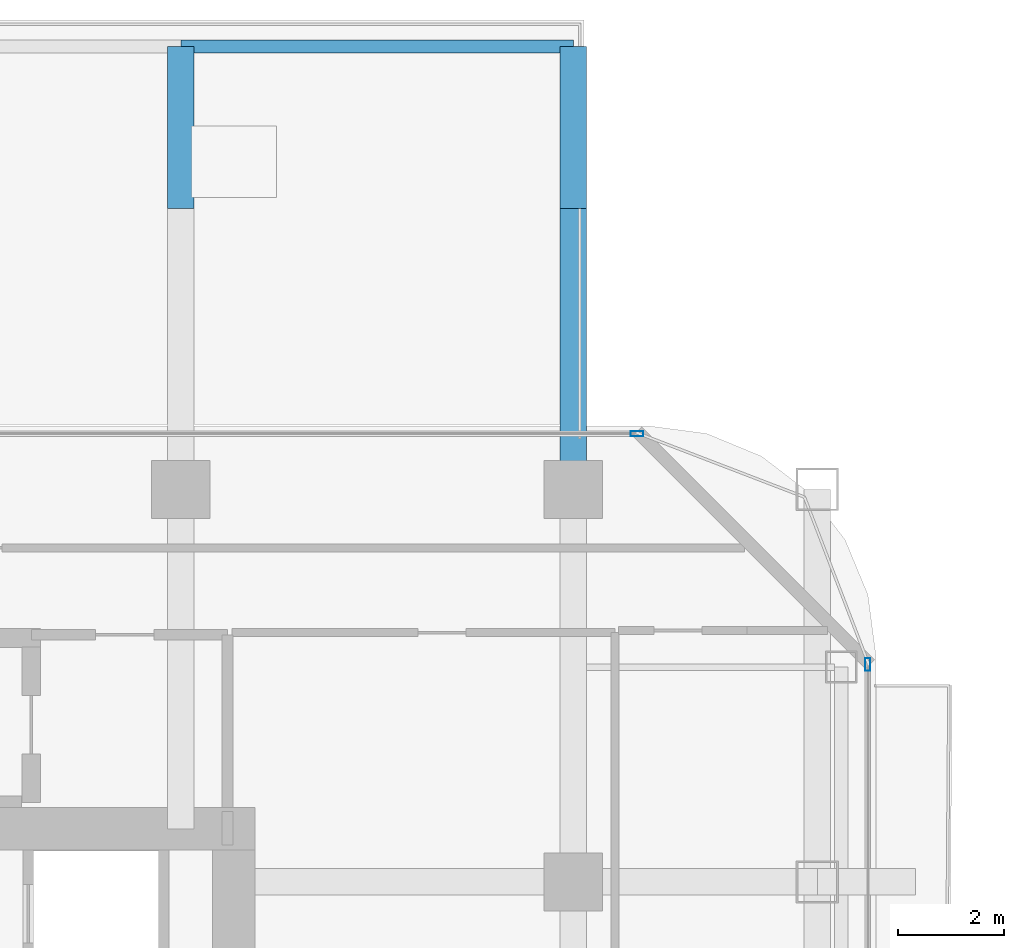
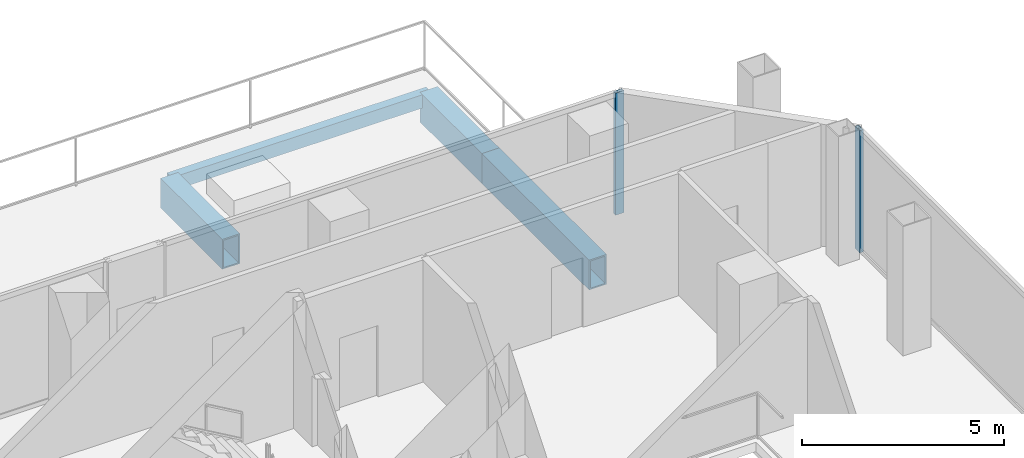
# One storey, part 15 of 24: 4 beams, 2 members, 2 elements without a shape of their own.
"""IFC4 building model written with IfcOpenShell, lengths in metres."""

from ifc_helpers import new_model, si_unit, direction, frame, origin, origin_2d, place, context, subcontext, project, spatial, hollow_rectangle, extrude, material, layer, layer_set, material_profile, profile_set, type_object, element, aggregate, save


model = new_model("IFC4")

# Units and contexts
model_context = context("Model", 3, precision=1e-05, world=origin(), true_north=direction((0.0, 1.0)))
body_context = subcontext(model_context, "Body", "Model", "MODEL_VIEW")
ifc_project = project(units=[si_unit("LENGTHUNIT", "METRE"), si_unit("AREAUNIT", "SQUARE_METRE"), si_unit("VOLUMEUNIT", "CUBIC_METRE"), si_unit("PLANEANGLEUNIT", "RADIAN"), si_unit("MASSUNIT", "GRAM", prefix="KILO")], contexts=[model_context])

# Site, building, storey
site_placement = place(None, origin())
site = spatial("IfcSite", under=ifc_project, at=site_placement, CompositionType="ELEMENT")
building_placement = place(site_placement, origin())
building = spatial("IfcBuilding", under=site, at=building_placement, Name="Khorvyn Point Tower", CompositionType="ELEMENT")
storey_placement = place(building_placement, frame((0.0, 0.0, 191.39990234375)))
storey = spatial("IfcBuildingStorey", under=building, at=storey_placement, Name="L47", CompositionType="ELEMENT", Elevation=191.39990234375)

# Curtain wall, member
ifc_material_1 = material(Name="Anodised aluminium 6063-T6 and laminated Low-E glass", Category="aluminium")
ifc_layer = layer(ifc_material_1, 0.18994140625)
ifc_layer_set = layer_set([ifc_layer], Name="Stick-Built Acoustic Curtain Wall CW-SYS-03")
curtain_wall_type = type_object("IfcCurtainWallType", Name="Stick-Built Acoustic Curtain Wall CW-SYS-03", PredefinedType="NOTDEFINED", material=ifc_layer_set)
curtain_wall_1_placement = place(storey_placement, origin())
curtain_wall_1 = element("IfcCurtainWall", 1, at=curtain_wall_1_placement, inside=storey, type_object=curtain_wall_type, Name="Curtain Wall", PredefinedType="NOTDEFINED")
ifc_material_2 = material(Name="Anodised aluminium 6063-T6", Category="aluminium")
ifc_material_profile_1 = material_profile(ifc_material_2, hollow_rectangle(XDim=0.10009765625, YDim=0.239990234375, WallThickness=0.0048828125, at=origin_2d()))
ifc_profile_set_1 = profile_set([ifc_material_profile_1], Name="Anodised aluminium 6063-T6 ALU-MUL-100x240")
member_type = type_object("IfcMemberType", Name="Anodised Aluminium 6063-T6 Mullion ALU-MUL-100x240", PredefinedType="MULLION", material=ifc_profile_set_1)
member_1_placement = place(storey_placement, frame((16.0, 15.85009765625, 0.0), z_axis=(0.0, 0.0, 1.0), x_axis=(0.0, 1.0, 0.0)))
member_1 = element("IfcMember", 2, at=member_1_placement, type_object=member_type, Name="Transom", PredefinedType="MULLION", context=body_context, shape_type="SweptSolid", body=[
    extrude(hollow_rectangle(XDim=0.10009765625, YDim=0.239990234375, WallThickness=0.0048828125, at=origin_2d()), origin(), (0.0, 0.0, 1.0), 3.68017578125),
])
aggregate(curtain_wall_1, [member_1])

curtain_wall_2_placement = place(storey_placement, origin())
curtain_wall_2 = element("IfcCurtainWall", 3, at=curtain_wall_2_placement, inside=storey, type_object=curtain_wall_type, Name="Curtain Wall", PredefinedType="NOTDEFINED")
member_2_placement = place(storey_placement, frame((20.35009765625, 11.5, 0.0), z_axis=(0.0, 0.0, 1.0), x_axis=(1.0, 0.0, 0.0)))
member_2 = element("IfcMember", 4, at=member_2_placement, type_object=member_type, Name="Transom", PredefinedType="MULLION", context=body_context, shape_type="SweptSolid", body=[
    extrude(hollow_rectangle(XDim=0.10009765625, YDim=0.239990234375, WallThickness=0.0048828125, at=origin_2d()), origin(), (0.0, 0.0, 1.0), 3.68017578125),
])
aggregate(curtain_wall_2, [member_2])

# Beams
ifc_material_3 = material(Name="Steel S355", Category="steel")
ifc_material_profile_2 = material_profile(ifc_material_3, hollow_rectangle(XDim=0.25, YDim=0.39990234375, WallThickness=0.01611328125, at=origin_2d()))
ifc_profile_set_2 = profile_set([ifc_material_profile_2], Name="Steel S355 RHS400x250x16")
beam_type_1 = type_object("IfcBeamType", Name="Steel S355 Spandrel RHS400x250x16", PredefinedType="SPANDREL", material=ifc_profile_set_2)
beam_1_placement = place(storey_placement, frame((7.39990234375, 23.14990234375, -0.47998046875), z_axis=(1.0, 0.0, 0.0), x_axis=(0.0, 1.0, 0.0)))
element("IfcBeam", 5, at=beam_1_placement, inside=storey, type_object=beam_type_1, Name="Beam", PredefinedType="SPANDREL", context=body_context, shape_type="SweptSolid", body=[
    extrude(hollow_rectangle(XDim=0.25, YDim=0.39990234375, WallThickness=0.01611328125, at=origin_2d()), origin(), (0.0, 0.0, 1.0), 7.400146484375),
])
ifc_material_4 = material(Name="Steel S450", Category="steel")
ifc_material_profile_3 = material_profile(ifc_material_4, hollow_rectangle(XDim=0.5, YDim=0.89990234375, WallThickness=0.0400390625, at=origin_2d()))
ifc_profile_set_3 = profile_set([ifc_material_profile_3], Name="Steel S450 BOX900x500x40")
beam_type_2 = type_object("IfcBeamType", Name="Steel S450 Beam BOX900x500x40", PredefinedType="BEAM", material=ifc_profile_set_3)
beam_2_placement = place(storey_placement, frame((14.800048828125, 14.800048828125, -0.72998046875), z_axis=(0.0, 1.0, 0.0), x_axis=(-1.0, 0.0, 0.0)))
element("IfcBeam", 6, at=beam_2_placement, inside=storey, type_object=beam_type_2, Name="L47 Radial Transfer Girder", PredefinedType="BEAM", context=body_context, shape_type="SweptSolid", body=[
    extrude(hollow_rectangle(XDim=0.5, YDim=0.89990234375, WallThickness=0.0400390625, at=origin_2d()), origin(), (0.0, 0.0, 1.0), 5.300048828125),
])
for number, where, z_axis, x_axis, name in (
    (7, (14.800048828125, 20.10009765625, -0.72998046875), (0.0, 1.0, 0.0), (-1.0, 0.0, 0.0), "L47 Radial Transfer Girder"),
    (8, (7.39990234375, 20.10009765625, -0.72998046875), (0.0, 1.0, 0.0), (-1.0, 0.0, 0.0), "Beam"),
):
    element("IfcBeam", number, at=place(storey_placement, frame(where, z_axis=z_axis, x_axis=x_axis)), inside=storey, type_object=beam_type_2, Name=name, PredefinedType="BEAM", context=body_context, shape_type="SweptSolid", body=[
        extrude(hollow_rectangle(XDim=0.5, YDim=0.89990234375, WallThickness=0.0400390625, at=origin_2d()), origin(), (0.0, 0.0, 1.0), 3.0498046875),
    ])

save(model, "model.ifc")
